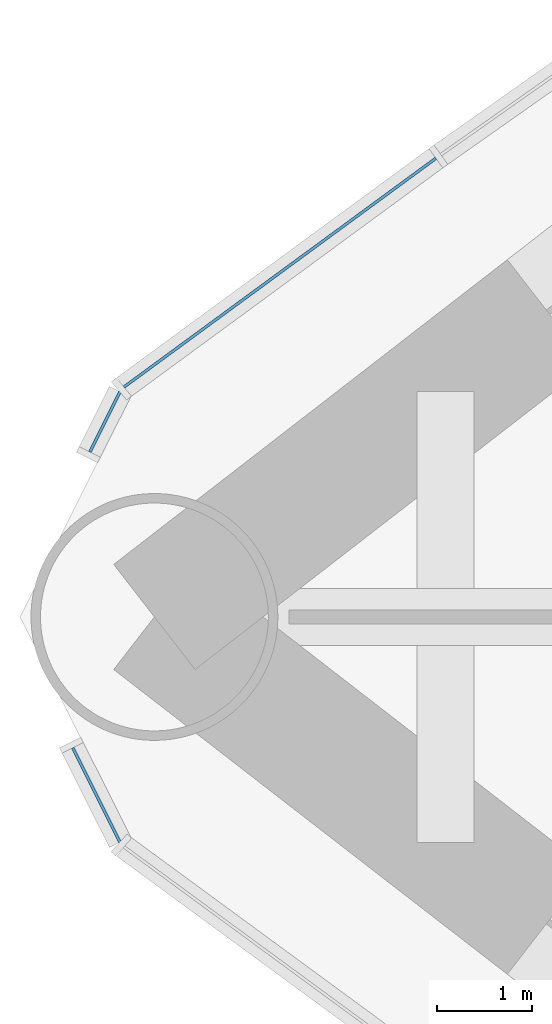
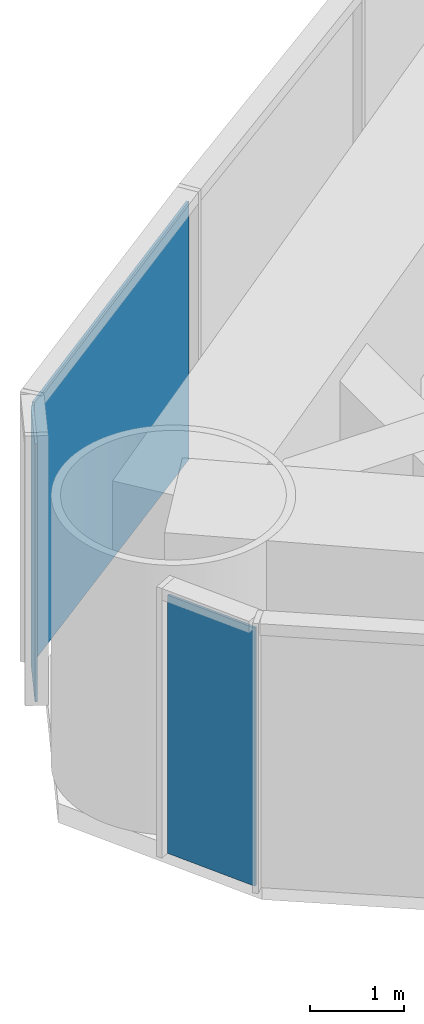
# One storey, part 10 of 20: 3 plates, 2 elements without a shape of their own.
"""IFC4 building model written with IfcOpenShell, lengths in metres."""

from ifc_helpers import new_model, si_unit, direction, frame, origin, origin_2d, place, context, subcontext, project, spatial, rectangle, extrude, material, layer, layer_set, type_object, element, aggregate, save


model = new_model("IFC4")

# Units and contexts
model_context = context("Model", 3, precision=1e-05, world=origin(), true_north=direction((0.0, 1.0)))
body_context = subcontext(model_context, "Body", "Model", "MODEL_VIEW")
ifc_project = project(units=[si_unit("LENGTHUNIT", "METRE"), si_unit("AREAUNIT", "SQUARE_METRE"), si_unit("VOLUMEUNIT", "CUBIC_METRE"), si_unit("PLANEANGLEUNIT", "RADIAN"), si_unit("MASSUNIT", "GRAM", prefix="KILO")], contexts=[model_context])

# Site, building, storey
site_placement = place(None, origin())
site = spatial("IfcSite", under=ifc_project, at=site_placement, CompositionType="ELEMENT")
building_placement = place(site_placement, origin())
building = spatial("IfcBuilding", under=site, at=building_placement, Name="Lancet Gate Hotel", CompositionType="ELEMENT")
storey_placement = place(building_placement, frame((0.0, 0.0, 77.5)))
storey = spatial("IfcBuildingStorey", under=building, at=storey_placement, Name="L20", CompositionType="ELEMENT", Elevation=77.5)

# Curtain wall, plates
ifc_material_1 = material(Name="Aluminium curtain wall", Category="aluminium")
curtain_wall_type = type_object("IfcCurtainWallType", Name="Tower unitised curtain wall", PredefinedType="USERDEFINED", material=ifc_material_1)
curtain_wall_1_placement = place(storey_placement, origin())
curtain_wall_1 = element("IfcCurtainWall", 1, at=curtain_wall_1_placement, inside=storey, type_object=curtain_wall_type, Name="T1 L20 curtain wall 5", ObjectType="UNITISED CURTAIN WALL", PredefinedType="USERDEFINED")
ifc_material_2 = material(Name="Glass double glazed unit 8-16-6", Category="glass")
ifc_layer = layer(ifc_material_2, 0.030029296875)
ifc_layer_set = layer_set([ifc_layer], Name="Vision panel double glazed")
plate_type = type_object("IfcPlateType", Name="Vision panel double glazed", PredefinedType="CURTAIN_PANEL", material=ifc_layer_set)
plate_1_placement = place(storey_placement, frame((-72.91357421875, 3.6259765625, 0.0), z_axis=(0.0, 0.0, 1.0), x_axis=(-0.80639010009, -0.591383975499, 0.0)))
plate_1 = element("IfcPlate", 2, at=plate_1_placement, type_object=plate_type, Name="T1 L20 curtain wall 5 panel 3", PredefinedType="CURTAIN_PANEL", context=body_context, shape_type="SweptSolid", body=[
    extrude(rectangle(XDim=4.0751953125, YDim=0.030029296875, at=origin_2d()), origin(), (0.0, 0.0, 1.0), 3.35009765625),
])
plate_2_placement = place(storey_placement, frame((-74.756591796875, 2.054931640625, 0.0), z_axis=(0.0, 0.0, 1.0), x_axis=(-0.447628324726, -0.89421970617, 0.0)))
plate_2 = element("IfcPlate", 3, at=plate_2_placement, type_object=plate_type, Name="T1 L20 curtain wall 5 panel 4", PredefinedType="CURTAIN_PANEL", context=body_context, shape_type="SweptSolid", body=[
    extrude(rectangle(XDim=0.71044921875, YDim=0.030029296875, at=origin_2d()), origin(), (0.0, 0.0, 1.0), 3.35009765625),
])
aggregate(curtain_wall_1, [plate_1, plate_2])

# Curtain wall, plate
curtain_wall_2_placement = place(storey_placement, origin())
curtain_wall_2 = element("IfcCurtainWall", 4, at=curtain_wall_2_placement, inside=storey, type_object=curtain_wall_type, Name="T1 L20 curtain wall 6", ObjectType="UNITISED CURTAIN WALL", PredefinedType="USERDEFINED")
plate_3_placement = place(storey_placement, frame((-74.84619140625, -1.875732421875, 0.0), z_axis=(0.0, 0.0, 1.0), x_axis=(0.447628324726, -0.89421970617, 0.0)))
plate_3 = element("IfcPlate", 5, at=plate_3_placement, type_object=plate_type, Name="T1 L20 curtain wall 6 panel 1", PredefinedType="CURTAIN_PANEL", context=body_context, shape_type="SweptSolid", body=[
    extrude(rectangle(XDim=1.111083984375, YDim=0.030029296875, at=origin_2d()), origin(), (0.0, 0.0, 1.0), 3.35009765625),
])
aggregate(curtain_wall_2, [plate_3])

save(model, "model.ifc")
